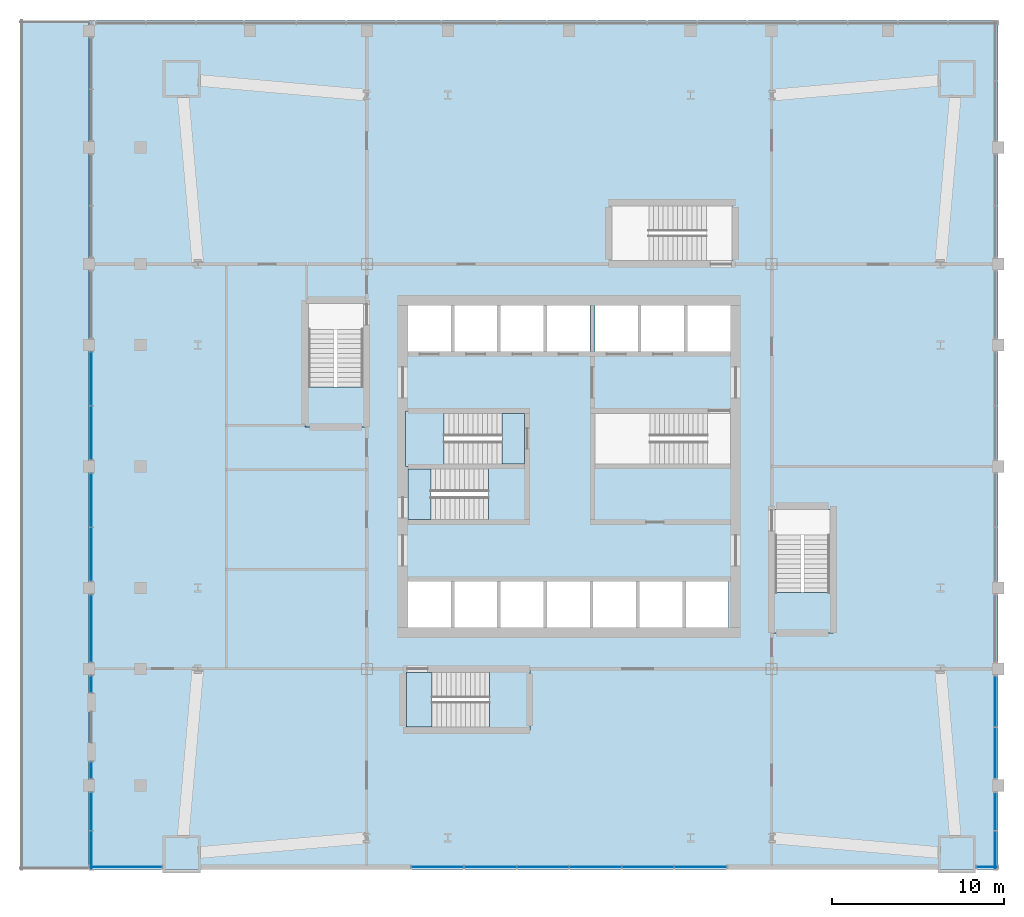
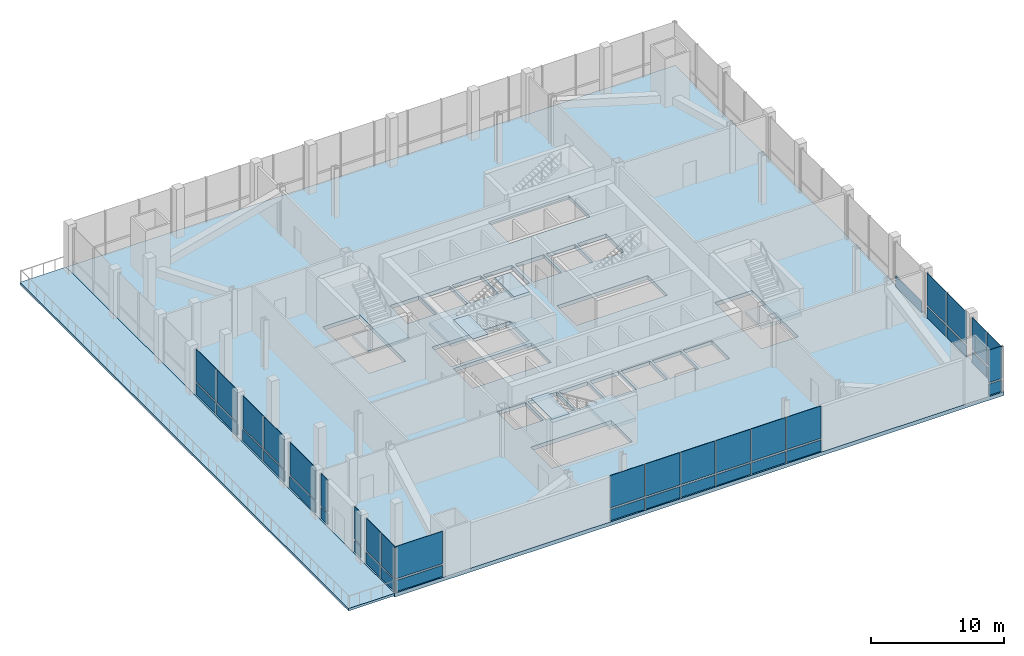
# One storey, part 8 of 15: 43 plates, 10 slabs, 17 elements without a shape of their own.
"""IFC4 building model written with IfcOpenShell, lengths in metres."""

from ifc_helpers import new_model, si_unit, direction, frame, origin, origin_2d, place, context, subcontext, project, spatial, polyline, rectangle, outline, extrude, material, layer, layer_set, type_object, element, aggregate, save


model = new_model("IFC4")

# Units and contexts
model_context = context("Model", 3, precision=1e-05, world=origin(), true_north=direction((0.0, 1.0)))
body_context = subcontext(model_context, "Body", "Model", "MODEL_VIEW")
ifc_project = project(units=[si_unit("LENGTHUNIT", "METRE"), si_unit("AREAUNIT", "SQUARE_METRE"), si_unit("VOLUMEUNIT", "CUBIC_METRE"), si_unit("PLANEANGLEUNIT", "RADIAN"), si_unit("MASSUNIT", "GRAM", prefix="KILO")], contexts=[model_context])

# Site, building, storey
site_placement = place(None, origin())
site = spatial("IfcSite", under=ifc_project, at=site_placement, CompositionType="ELEMENT")
building_placement = place(site_placement, origin())
building = spatial("IfcBuilding", under=site, at=building_placement, Name="Turquesa Mirador Hotel Tower", CompositionType="ELEMENT")
storey_placement = place(building_placement, frame((0.0, 0.0, 16.0)))
storey = spatial("IfcBuildingStorey", under=building, at=storey_placement, Name="L03", CompositionType="ELEMENT", Elevation=16.0)

# Curtain wall, plate
ifc_material_1 = material(Name="Aluminium extrusion", Category="aluminium")
curtain_wall_type = type_object("IfcCurtainWallType", Name="CW-3 PODIUM UPPER CURTAIN WALL", PredefinedType="USERDEFINED", material=ifc_material_1)
curtain_wall_1_placement = place(storey_placement, origin())
curtain_wall_1 = element("IfcCurtainWall", 1, at=curtain_wall_1_placement, inside=storey, type_object=curtain_wall_type, Name="CW-3 PODIUM UPPER CURTAIN WALL L03", ObjectType="CURTAIN WALL", PredefinedType="USERDEFINED")
ifc_material_2 = material(Name="Ceramic-printed spandrel glass on an insulated back pan", Category="glass")
ifc_layer_1 = layer(ifc_material_2, 0.050048828125)
ifc_layer_set_1 = layer_set([ifc_layer_1], Name="CW PANEL SPANDREL CERAMIC")
plate_type_1 = type_object("IfcPlateType", Name="CW PANEL SPANDREL CERAMIC", PredefinedType="CURTAIN_PANEL", material=ifc_layer_set_1)
plate_1_placement = place(storey_placement, frame((29.1328125, 21.64990234375, 0.0), z_axis=(0.0, 0.0, 1.0), x_axis=(1.0, 0.0, 0.0)))
plate_1 = element("IfcPlate", 2, at=plate_1_placement, type_object=plate_type_1, Name="Panel", PredefinedType="CURTAIN_PANEL", context=body_context, shape_type="SweptSolid", body=[
    extrude(rectangle(XDim=4.200439453125, YDim=0.050048828125, at=origin_2d()), origin(), (0.0, 0.0, 1.0), 1.02490234375),
])

# Curtain wall, plates
curtain_wall_2_placement = place(storey_placement, origin())
curtain_wall_2 = element("IfcCurtainWall", 3, at=curtain_wall_2_placement, inside=storey, type_object=curtain_wall_type, Name="CW-3 PODIUM UPPER CURTAIN WALL L03", ObjectType="CURTAIN WALL", PredefinedType="USERDEFINED")
plate_2_placement = place(storey_placement, frame((47.333740234375, 21.64990234375, 0.0), z_axis=(0.0, 0.0, 1.0), x_axis=(1.0, 0.0, 0.0)))
plate_2 = element("IfcPlate", 4, at=plate_2_placement, type_object=plate_type_1, Name="Panel", PredefinedType="CURTAIN_PANEL", context=body_context, shape_type="SweptSolid", body=[
    extrude(rectangle(XDim=3.00146484375, YDim=0.050048828125, at=origin_2d()), origin(), (0.0, 0.0, 1.0), 1.02490234375),
])
plate_3_placement = place(storey_placement, frame((50.400146484375, 21.64990234375, 0.0), z_axis=(0.0, 0.0, 1.0), x_axis=(1.0, 0.0, 0.0)))
plate_3 = element("IfcPlate", 5, at=plate_3_placement, type_object=plate_type_1, Name="Panel", PredefinedType="CURTAIN_PANEL", context=body_context, shape_type="SweptSolid", body=[
    extrude(rectangle(XDim=3.00146484375, YDim=0.050048828125, at=origin_2d()), origin(), (0.0, 0.0, 1.0), 1.02490234375),
])
plate_4_placement = place(storey_placement, frame((53.466796875, 21.64990234375, 0.0), z_axis=(0.0, 0.0, 1.0), x_axis=(1.0, 0.0, 0.0)))
plate_4 = element("IfcPlate", 6, at=plate_4_placement, type_object=plate_type_1, Name="Panel", PredefinedType="CURTAIN_PANEL", context=body_context, shape_type="SweptSolid", body=[
    extrude(rectangle(XDim=3.00146484375, YDim=0.050048828125, at=origin_2d()), origin(), (0.0, 0.0, 1.0), 1.02490234375),
])
plate_5_placement = place(storey_placement, frame((56.533203125, 21.64990234375, 0.0), z_axis=(0.0, 0.0, 1.0), x_axis=(1.0, 0.0, 0.0)))
plate_5 = element("IfcPlate", 7, at=plate_5_placement, type_object=plate_type_1, Name="Panel", PredefinedType="CURTAIN_PANEL", context=body_context, shape_type="SweptSolid", body=[
    extrude(rectangle(XDim=3.00146484375, YDim=0.050048828125, at=origin_2d()), origin(), (0.0, 0.0, 1.0), 1.02490234375),
])
plate_6_placement = place(storey_placement, frame((59.599853515625, 21.64990234375, 0.0), z_axis=(0.0, 0.0, 1.0), x_axis=(1.0, 0.0, 0.0)))
plate_6 = element("IfcPlate", 8, at=plate_6_placement, type_object=plate_type_1, Name="Panel", PredefinedType="CURTAIN_PANEL", context=body_context, shape_type="SweptSolid", body=[
    extrude(rectangle(XDim=3.00146484375, YDim=0.050048828125, at=origin_2d()), origin(), (0.0, 0.0, 1.0), 1.02490234375),
])
plate_7_placement = place(storey_placement, frame((62.666259765625, 21.64990234375, 0.0), z_axis=(0.0, 0.0, 1.0), x_axis=(1.0, 0.0, 0.0)))
plate_7 = element("IfcPlate", 9, at=plate_7_placement, type_object=plate_type_1, Name="Panel", PredefinedType="CURTAIN_PANEL", context=body_context, shape_type="SweptSolid", body=[
    extrude(rectangle(XDim=3.00146484375, YDim=0.050048828125, at=origin_2d()), origin(), (0.0, 0.0, 1.0), 1.02490234375),
])

# Curtain wall, plate
curtain_wall_3_placement = place(storey_placement, origin())
curtain_wall_3 = element("IfcCurtainWall", 10, at=curtain_wall_3_placement, inside=storey, type_object=curtain_wall_type, Name="CW-3 PODIUM UPPER CURTAIN WALL L03", ObjectType="CURTAIN WALL", PredefinedType="USERDEFINED")
plate_8_placement = place(storey_placement, frame((79.3671875, 21.64990234375, 0.0), z_axis=(0.0, 0.0, 1.0), x_axis=(1.0, 0.0, 0.0)))
plate_8 = element("IfcPlate", 11, at=plate_8_placement, type_object=plate_type_1, Name="Panel", PredefinedType="CURTAIN_PANEL", context=body_context, shape_type="SweptSolid", body=[
    extrude(rectangle(XDim=1.200439453125, YDim=0.050048828125, at=origin_2d()), origin(), (0.0, 0.0, 1.0), 1.02490234375),
])

# Curtain wall, plates
curtain_wall_4_placement = place(storey_placement, origin())
curtain_wall_4 = element("IfcCurtainWall", 12, at=curtain_wall_4_placement, inside=storey, type_object=curtain_wall_type, Name="CW-3 PODIUM UPPER CURTAIN WALL L03", ObjectType="CURTAIN WALL", PredefinedType="USERDEFINED")
plate_9_placement = place(storey_placement, frame((79.85009765625, 22.62890625, 0.0), z_axis=(0.0, 0.0, 1.0), x_axis=(0.0, 1.0, 0.0)))
plate_9 = element("IfcPlate", 13, at=plate_9_placement, type_object=plate_type_1, Name="Panel", PredefinedType="CURTAIN_PANEL", context=body_context, shape_type="SweptSolid", body=[
    extrude(rectangle(XDim=2.19287109375, YDim=0.050048828125, at=origin_2d()), origin(), (0.0, 0.0, 1.0), 1.02490234375),
])
plate_10_placement = place(storey_placement, frame((79.85009765625, 24.88671875, 0.0), z_axis=(0.0, 0.0, 1.0), x_axis=(0.0, 1.0, 0.0)))
plate_10 = element("IfcPlate", 14, at=plate_10_placement, type_object=plate_type_1, Name="Panel", PredefinedType="CURTAIN_PANEL", context=body_context, shape_type="SweptSolid", body=[
    extrude(rectangle(XDim=2.19287109375, YDim=0.050048828125, at=origin_2d()), origin(), (0.0, 0.0, 1.0), 1.02490234375),
])

curtain_wall_5_placement = place(storey_placement, origin())
curtain_wall_5 = element("IfcCurtainWall", 15, at=curtain_wall_5_placement, inside=storey, type_object=curtain_wall_type, Name="CW-3 PODIUM UPPER CURTAIN WALL L03", ObjectType="CURTAIN WALL", PredefinedType="USERDEFINED")
plate_11_placement = place(storey_placement, frame((79.85009765625, 28.292236328125, 0.0), z_axis=(0.0, 0.0, 1.0), x_axis=(0.0, 1.0, 0.0)))
plate_11 = element("IfcPlate", 16, at=plate_11_placement, type_object=plate_type_1, Name="Panel", PredefinedType="CURTAIN_PANEL", context=body_context, shape_type="SweptSolid", body=[
    extrude(rectangle(XDim=2.950439453125, YDim=0.050048828125, at=origin_2d()), origin(), (0.0, 0.0, 1.0), 1.02490234375),
])
plate_12_placement = place(storey_placement, frame((79.85009765625, 31.307861328125, 0.0), z_axis=(0.0, 0.0, 1.0), x_axis=(0.0, 1.0, 0.0)))
plate_12 = element("IfcPlate", 17, at=plate_12_placement, type_object=plate_type_1, Name="Panel", PredefinedType="CURTAIN_PANEL", context=body_context, shape_type="SweptSolid", body=[
    extrude(rectangle(XDim=2.950439453125, YDim=0.050048828125, at=origin_2d()), origin(), (0.0, 0.0, 1.0), 1.02490234375),
])

# Curtain wall, plate
curtain_wall_6_placement = place(storey_placement, origin())
curtain_wall_6 = element("IfcCurtainWall", 18, at=curtain_wall_6_placement, inside=storey, type_object=curtain_wall_type, Name="CW-3 PODIUM UPPER CURTAIN WALL L03", ObjectType="CURTAIN WALL", PredefinedType="USERDEFINED")
plate_13_placement = place(storey_placement, frame((79.85009765625, 35.56005859375, 0.0), z_axis=(0.0, 0.0, 1.0), x_axis=(0.0, 1.0, 0.0)))
plate_13 = element("IfcPlate", 19, at=plate_13_placement, type_object=plate_type_1, Name="Panel", PredefinedType="CURTAIN_PANEL", context=body_context, shape_type="SweptSolid", body=[
    extrude(rectangle(XDim=3.885986328125, YDim=0.050048828125, at=origin_2d()), origin(), (0.0, 0.0, 1.0), 1.02490234375),
])
aggregate(curtain_wall_6, [plate_13])

# Curtain wall, plates
curtain_wall_7_placement = place(storey_placement, origin())
curtain_wall_7 = element("IfcCurtainWall", 20, at=curtain_wall_7_placement, inside=storey, type_object=curtain_wall_type, Name="CW-3 PODIUM UPPER CURTAIN WALL L03", ObjectType="CURTAIN WALL", PredefinedType="USERDEFINED")
plate_14_placement = place(storey_placement, frame((27.14990234375, 50.11767578125, 0.0), z_axis=(0.0, 0.0, 1.0), x_axis=(0.0, -1.0, 0.0)))
plate_14 = element("IfcPlate", 21, at=plate_14_placement, type_object=plate_type_1, Name="Panel", PredefinedType="CURTAIN_PANEL", context=body_context, shape_type="SweptSolid", body=[
    extrude(rectangle(XDim=3.090576171875, YDim=0.050048828125, at=origin_2d()), origin(), (0.0, 0.0, 1.0), 1.02490234375),
])
plate_15_placement = place(storey_placement, frame((27.14990234375, 46.962158203125, 0.0), z_axis=(0.0, 0.0, 1.0), x_axis=(0.0, -1.0, 0.0)))
plate_15 = element("IfcPlate", 22, at=plate_15_placement, type_object=plate_type_1, Name="Panel", PredefinedType="CURTAIN_PANEL", context=body_context, shape_type="SweptSolid", body=[
    extrude(rectangle(XDim=3.090576171875, YDim=0.050048828125, at=origin_2d()), origin(), (0.0, 0.0, 1.0), 1.02490234375),
])

curtain_wall_8_placement = place(storey_placement, origin())
curtain_wall_8 = element("IfcCurtainWall", 23, at=curtain_wall_8_placement, inside=storey, type_object=curtain_wall_type, Name="CW-3 PODIUM UPPER CURTAIN WALL L03", ObjectType="CURTAIN WALL", PredefinedType="USERDEFINED")
plate_16_placement = place(storey_placement, frame((27.14990234375, 43.037841796875, 0.0), z_axis=(0.0, 0.0, 1.0), x_axis=(0.0, -1.0, 0.0)))
plate_16 = element("IfcPlate", 24, at=plate_16_placement, type_object=plate_type_1, Name="Panel", PredefinedType="CURTAIN_PANEL", context=body_context, shape_type="SweptSolid", body=[
    extrude(rectangle(XDim=3.090576171875, YDim=0.050048828125, at=origin_2d()), origin(), (0.0, 0.0, 1.0), 1.02490234375),
])
plate_17_placement = place(storey_placement, frame((27.14990234375, 39.88232421875, 0.0), z_axis=(0.0, 0.0, 1.0), x_axis=(0.0, -1.0, 0.0)))
plate_17 = element("IfcPlate", 25, at=plate_17_placement, type_object=plate_type_1, Name="Panel", PredefinedType="CURTAIN_PANEL", context=body_context, shape_type="SweptSolid", body=[
    extrude(rectangle(XDim=3.090576171875, YDim=0.050048828125, at=origin_2d()), origin(), (0.0, 0.0, 1.0), 1.02490234375),
])

# Curtain wall, plate
curtain_wall_9_placement = place(storey_placement, origin())
curtain_wall_9 = element("IfcCurtainWall", 26, at=curtain_wall_9_placement, inside=storey, type_object=curtain_wall_type, Name="CW-3 PODIUM UPPER CURTAIN WALL L03", ObjectType="CURTAIN WALL", PredefinedType="USERDEFINED")
plate_18_placement = place(storey_placement, frame((27.14990234375, 35.56005859375, 0.0), z_axis=(0.0, 0.0, 1.0), x_axis=(0.0, -1.0, 0.0)))
plate_18 = element("IfcPlate", 27, at=plate_18_placement, type_object=plate_type_1, Name="Panel", PredefinedType="CURTAIN_PANEL", context=body_context, shape_type="SweptSolid", body=[
    extrude(rectangle(XDim=3.885986328125, YDim=0.050048828125, at=origin_2d()), origin(), (0.0, 0.0, 1.0), 1.02490234375),
])

curtain_wall_10_placement = place(storey_placement, origin())
curtain_wall_10 = element("IfcCurtainWall", 28, at=curtain_wall_10_placement, inside=storey, type_object=curtain_wall_type, Name="CW-3 PODIUM UPPER CURTAIN WALL L03", ObjectType="CURTAIN WALL", PredefinedType="USERDEFINED")
plate_19_placement = place(storey_placement, frame((27.14990234375, 32.307861328125, 0.0), z_axis=(0.0, 0.0, 1.0), x_axis=(0.0, -1.0, 0.0)))
plate_19 = element("IfcPlate", 29, at=plate_19_placement, type_object=plate_type_1, Name="Panel", PredefinedType="CURTAIN_PANEL", context=body_context, shape_type="SweptSolid", body=[
    extrude(rectangle(XDim=0.950439453125, YDim=0.050048828125, at=origin_2d()), origin(), (0.0, 0.0, 1.0), 1.02490234375),
])

curtain_wall_11_placement = place(storey_placement, origin())
curtain_wall_11 = element("IfcCurtainWall", 30, at=curtain_wall_11_placement, inside=storey, type_object=curtain_wall_type, Name="CW-3 PODIUM UPPER CURTAIN WALL L03", ObjectType="CURTAIN WALL", PredefinedType="USERDEFINED")
plate_20_placement = place(storey_placement, frame((27.14990234375, 27.292236328125, 0.0), z_axis=(0.0, 0.0, 1.0), x_axis=(0.0, -1.0, 0.0)))
plate_20 = element("IfcPlate", 31, at=plate_20_placement, type_object=plate_type_1, Name="Panel", PredefinedType="CURTAIN_PANEL", context=body_context, shape_type="SweptSolid", body=[
    extrude(rectangle(XDim=0.950439453125, YDim=0.050048828125, at=origin_2d()), origin(), (0.0, 0.0, 1.0), 1.02490234375),
])

# Curtain wall, plates
curtain_wall_12_placement = place(storey_placement, origin())
curtain_wall_12 = element("IfcCurtainWall", 32, at=curtain_wall_12_placement, inside=storey, type_object=curtain_wall_type, Name="CW-3 PODIUM UPPER CURTAIN WALL L03", ObjectType="CURTAIN WALL", PredefinedType="USERDEFINED")
plate_21_placement = place(storey_placement, frame((27.14990234375, 24.88671875, 0.0), z_axis=(0.0, 0.0, 1.0), x_axis=(0.0, -1.0, 0.0)))
plate_21 = element("IfcPlate", 33, at=plate_21_placement, type_object=plate_type_1, Name="Panel", PredefinedType="CURTAIN_PANEL", context=body_context, shape_type="SweptSolid", body=[
    extrude(rectangle(XDim=2.19287109375, YDim=0.050048828125, at=origin_2d()), origin(), (0.0, 0.0, 1.0), 1.02490234375),
])
plate_22_placement = place(storey_placement, frame((27.14990234375, 22.62890625, 0.0), z_axis=(0.0, 0.0, 1.0), x_axis=(0.0, -1.0, 0.0)))
plate_22 = element("IfcPlate", 34, at=plate_22_placement, type_object=plate_type_1, Name="Panel", PredefinedType="CURTAIN_PANEL", context=body_context, shape_type="SweptSolid", body=[
    extrude(rectangle(XDim=2.19287109375, YDim=0.050048828125, at=origin_2d()), origin(), (0.0, 0.0, 1.0), 1.02490234375),
])

# Plate
ifc_material_3 = material(Name="Ceramic-fritted laminated glass", Category="glass")
ifc_layer_2 = layer(ifc_material_3, 0.031982421875)
ifc_layer_set_2 = layer_set([ifc_layer_2], Name="CW PANEL VISION FRITTED")
plate_type_2 = type_object("IfcPlateType", Name="CW PANEL VISION FRITTED", PredefinedType="CURTAIN_PANEL", material=ifc_layer_set_2)
plate_23_placement = place(storey_placement, frame((29.1328125, 21.64990234375, 1.175048828125), z_axis=(0.0, 0.0, 1.0), x_axis=(1.0, 0.0, 0.0)))
plate_23 = element("IfcPlate", 35, at=plate_23_placement, type_object=plate_type_2, Name="Panel", PredefinedType="CURTAIN_PANEL", context=body_context, shape_type="SweptSolid", body=[
    extrude(rectangle(XDim=4.200439453125, YDim=0.031982421875, at=origin_2d()), origin(), (0.0, 0.0, 1.0), 2.97509765625),
])

aggregate(curtain_wall_1, [plate_1, plate_23])

plate_24_placement = place(storey_placement, frame((47.333740234375, 21.64990234375, 1.175048828125), z_axis=(0.0, 0.0, 1.0), x_axis=(1.0, 0.0, 0.0)))
plate_24 = element("IfcPlate", 36, at=plate_24_placement, type_object=plate_type_2, Name="Panel", PredefinedType="CURTAIN_PANEL", context=body_context, shape_type="SweptSolid", body=[
    extrude(rectangle(XDim=3.00146484375, YDim=0.031982421875, at=origin_2d()), origin(), (0.0, 0.0, 1.0), 2.97509765625),
])

plate_25_placement = place(storey_placement, frame((50.400146484375, 21.64990234375, 1.175048828125), z_axis=(0.0, 0.0, 1.0), x_axis=(1.0, 0.0, 0.0)))
plate_25 = element("IfcPlate", 37, at=plate_25_placement, type_object=plate_type_2, Name="Panel", PredefinedType="CURTAIN_PANEL", context=body_context, shape_type="SweptSolid", body=[
    extrude(rectangle(XDim=3.00146484375, YDim=0.031982421875, at=origin_2d()), origin(), (0.0, 0.0, 1.0), 2.97509765625),
])

plate_26_placement = place(storey_placement, frame((53.466796875, 21.64990234375, 1.175048828125), z_axis=(0.0, 0.0, 1.0), x_axis=(1.0, 0.0, 0.0)))
plate_26 = element("IfcPlate", 38, at=plate_26_placement, type_object=plate_type_2, Name="Panel", PredefinedType="CURTAIN_PANEL", context=body_context, shape_type="SweptSolid", body=[
    extrude(rectangle(XDim=3.00146484375, YDim=0.031982421875, at=origin_2d()), origin(), (0.0, 0.0, 1.0), 2.97509765625),
])

plate_27_placement = place(storey_placement, frame((56.533203125, 21.64990234375, 1.175048828125), z_axis=(0.0, 0.0, 1.0), x_axis=(1.0, 0.0, 0.0)))
plate_27 = element("IfcPlate", 39, at=plate_27_placement, type_object=plate_type_2, Name="Panel", PredefinedType="CURTAIN_PANEL", context=body_context, shape_type="SweptSolid", body=[
    extrude(rectangle(XDim=3.00146484375, YDim=0.031982421875, at=origin_2d()), origin(), (0.0, 0.0, 1.0), 2.97509765625),
])

plate_28_placement = place(storey_placement, frame((59.599853515625, 21.64990234375, 1.175048828125), z_axis=(0.0, 0.0, 1.0), x_axis=(1.0, 0.0, 0.0)))
plate_28 = element("IfcPlate", 40, at=plate_28_placement, type_object=plate_type_2, Name="Panel", PredefinedType="CURTAIN_PANEL", context=body_context, shape_type="SweptSolid", body=[
    extrude(rectangle(XDim=3.00146484375, YDim=0.031982421875, at=origin_2d()), origin(), (0.0, 0.0, 1.0), 2.97509765625),
])

plate_29_placement = place(storey_placement, frame((62.666259765625, 21.64990234375, 1.175048828125), z_axis=(0.0, 0.0, 1.0), x_axis=(1.0, 0.0, 0.0)))
plate_29 = element("IfcPlate", 41, at=plate_29_placement, type_object=plate_type_2, Name="Panel", PredefinedType="CURTAIN_PANEL", context=body_context, shape_type="SweptSolid", body=[
    extrude(rectangle(XDim=3.00146484375, YDim=0.031982421875, at=origin_2d()), origin(), (0.0, 0.0, 1.0), 2.97509765625),
])

aggregate(curtain_wall_2, [plate_2, plate_24, plate_3, plate_25, plate_4, plate_26, plate_5, plate_27, plate_6, plate_28, plate_7, plate_29])

plate_30_placement = place(storey_placement, frame((79.3671875, 21.64990234375, 1.175048828125), z_axis=(0.0, 0.0, 1.0), x_axis=(1.0, 0.0, 0.0)))
plate_30 = element("IfcPlate", 42, at=plate_30_placement, type_object=plate_type_2, Name="Panel", PredefinedType="CURTAIN_PANEL", context=body_context, shape_type="SweptSolid", body=[
    extrude(rectangle(XDim=1.200439453125, YDim=0.031982421875, at=origin_2d()), origin(), (0.0, 0.0, 1.0), 2.97509765625),
])

aggregate(curtain_wall_3, [plate_8, plate_30])

plate_31_placement = place(storey_placement, frame((79.85009765625, 22.62890625, 1.175048828125), z_axis=(0.0, 0.0, 1.0), x_axis=(0.0, 1.0, 0.0)))
plate_31 = element("IfcPlate", 43, at=plate_31_placement, type_object=plate_type_2, Name="Panel", PredefinedType="CURTAIN_PANEL", context=body_context, shape_type="SweptSolid", body=[
    extrude(rectangle(XDim=2.19287109375, YDim=0.031982421875, at=origin_2d()), origin(), (0.0, 0.0, 1.0), 2.97509765625),
])

plate_32_placement = place(storey_placement, frame((79.85009765625, 24.88671875, 1.175048828125), z_axis=(0.0, 0.0, 1.0), x_axis=(0.0, 1.0, 0.0)))
plate_32 = element("IfcPlate", 44, at=plate_32_placement, type_object=plate_type_2, Name="Panel", PredefinedType="CURTAIN_PANEL", context=body_context, shape_type="SweptSolid", body=[
    extrude(rectangle(XDim=2.19287109375, YDim=0.031982421875, at=origin_2d()), origin(), (0.0, 0.0, 1.0), 2.97509765625),
])

aggregate(curtain_wall_4, [plate_9, plate_31, plate_10, plate_32])

plate_33_placement = place(storey_placement, frame((79.85009765625, 28.292236328125, 1.175048828125), z_axis=(0.0, 0.0, 1.0), x_axis=(0.0, 1.0, 0.0)))
plate_33 = element("IfcPlate", 45, at=plate_33_placement, type_object=plate_type_2, Name="Panel", PredefinedType="CURTAIN_PANEL", context=body_context, shape_type="SweptSolid", body=[
    extrude(rectangle(XDim=2.950439453125, YDim=0.031982421875, at=origin_2d()), origin(), (0.0, 0.0, 1.0), 2.97509765625),
])

plate_34_placement = place(storey_placement, frame((79.85009765625, 31.307861328125, 1.175048828125), z_axis=(0.0, 0.0, 1.0), x_axis=(0.0, 1.0, 0.0)))
plate_34 = element("IfcPlate", 46, at=plate_34_placement, type_object=plate_type_2, Name="Panel", PredefinedType="CURTAIN_PANEL", context=body_context, shape_type="SweptSolid", body=[
    extrude(rectangle(XDim=2.950439453125, YDim=0.031982421875, at=origin_2d()), origin(), (0.0, 0.0, 1.0), 2.97509765625),
])

aggregate(curtain_wall_5, [plate_11, plate_33, plate_12, plate_34])

plate_35_placement = place(storey_placement, frame((27.14990234375, 50.11767578125, 1.175048828125), z_axis=(0.0, 0.0, 1.0), x_axis=(0.0, -1.0, 0.0)))
plate_35 = element("IfcPlate", 47, at=plate_35_placement, type_object=plate_type_2, Name="Panel", PredefinedType="CURTAIN_PANEL", context=body_context, shape_type="SweptSolid", body=[
    extrude(rectangle(XDim=3.090576171875, YDim=0.031982421875, at=origin_2d()), origin(), (0.0, 0.0, 1.0), 2.97509765625),
])

plate_36_placement = place(storey_placement, frame((27.14990234375, 46.962158203125, 1.175048828125), z_axis=(0.0, 0.0, 1.0), x_axis=(0.0, -1.0, 0.0)))
plate_36 = element("IfcPlate", 48, at=plate_36_placement, type_object=plate_type_2, Name="Panel", PredefinedType="CURTAIN_PANEL", context=body_context, shape_type="SweptSolid", body=[
    extrude(rectangle(XDim=3.090576171875, YDim=0.031982421875, at=origin_2d()), origin(), (0.0, 0.0, 1.0), 2.97509765625),
])

aggregate(curtain_wall_7, [plate_14, plate_35, plate_15, plate_36])

plate_37_placement = place(storey_placement, frame((27.14990234375, 43.037841796875, 1.175048828125), z_axis=(0.0, 0.0, 1.0), x_axis=(0.0, -1.0, 0.0)))
plate_37 = element("IfcPlate", 49, at=plate_37_placement, type_object=plate_type_2, Name="Panel", PredefinedType="CURTAIN_PANEL", context=body_context, shape_type="SweptSolid", body=[
    extrude(rectangle(XDim=3.090576171875, YDim=0.031982421875, at=origin_2d()), origin(), (0.0, 0.0, 1.0), 2.97509765625),
])

plate_38_placement = place(storey_placement, frame((27.14990234375, 39.88232421875, 1.175048828125), z_axis=(0.0, 0.0, 1.0), x_axis=(0.0, -1.0, 0.0)))
plate_38 = element("IfcPlate", 50, at=plate_38_placement, type_object=plate_type_2, Name="Panel", PredefinedType="CURTAIN_PANEL", context=body_context, shape_type="SweptSolid", body=[
    extrude(rectangle(XDim=3.090576171875, YDim=0.031982421875, at=origin_2d()), origin(), (0.0, 0.0, 1.0), 2.97509765625),
])

aggregate(curtain_wall_8, [plate_16, plate_37, plate_17, plate_38])

plate_39_placement = place(storey_placement, frame((27.14990234375, 35.56005859375, 1.175048828125), z_axis=(0.0, 0.0, 1.0), x_axis=(0.0, -1.0, 0.0)))
plate_39 = element("IfcPlate", 51, at=plate_39_placement, type_object=plate_type_2, Name="Panel", PredefinedType="CURTAIN_PANEL", context=body_context, shape_type="SweptSolid", body=[
    extrude(rectangle(XDim=3.885986328125, YDim=0.031982421875, at=origin_2d()), origin(), (0.0, 0.0, 1.0), 2.97509765625),
])

aggregate(curtain_wall_9, [plate_18, plate_39])

plate_40_placement = place(storey_placement, frame((27.14990234375, 32.307861328125, 1.175048828125), z_axis=(0.0, 0.0, 1.0), x_axis=(0.0, -1.0, 0.0)))
plate_40 = element("IfcPlate", 52, at=plate_40_placement, type_object=plate_type_2, Name="Panel", PredefinedType="CURTAIN_PANEL", context=body_context, shape_type="SweptSolid", body=[
    extrude(rectangle(XDim=0.950439453125, YDim=0.031982421875, at=origin_2d()), origin(), (0.0, 0.0, 1.0), 2.97509765625),
])

aggregate(curtain_wall_10, [plate_19, plate_40])

plate_41_placement = place(storey_placement, frame((27.14990234375, 27.292236328125, 1.175048828125), z_axis=(0.0, 0.0, 1.0), x_axis=(0.0, -1.0, 0.0)))
plate_41 = element("IfcPlate", 53, at=plate_41_placement, type_object=plate_type_2, Name="Panel", PredefinedType="CURTAIN_PANEL", context=body_context, shape_type="SweptSolid", body=[
    extrude(rectangle(XDim=0.950439453125, YDim=0.031982421875, at=origin_2d()), origin(), (0.0, 0.0, 1.0), 2.97509765625),
])

aggregate(curtain_wall_11, [plate_20, plate_41])

plate_42_placement = place(storey_placement, frame((27.14990234375, 24.88671875, 1.175048828125), z_axis=(0.0, 0.0, 1.0), x_axis=(0.0, -1.0, 0.0)))
plate_42 = element("IfcPlate", 54, at=plate_42_placement, type_object=plate_type_2, Name="Panel", PredefinedType="CURTAIN_PANEL", context=body_context, shape_type="SweptSolid", body=[
    extrude(rectangle(XDim=2.19287109375, YDim=0.031982421875, at=origin_2d()), origin(), (0.0, 0.0, 1.0), 2.97509765625),
])

plate_43_placement = place(storey_placement, frame((27.14990234375, 22.62890625, 1.175048828125), z_axis=(0.0, 0.0, 1.0), x_axis=(0.0, -1.0, 0.0)))
plate_43 = element("IfcPlate", 55, at=plate_43_placement, type_object=plate_type_2, Name="Panel", PredefinedType="CURTAIN_PANEL", context=body_context, shape_type="SweptSolid", body=[
    extrude(rectangle(XDim=2.19287109375, YDim=0.031982421875, at=origin_2d()), origin(), (0.0, 0.0, 1.0), 2.97509765625),
])

aggregate(curtain_wall_12, [plate_21, plate_42, plate_22, plate_43])

# Slab
ifc_material_4 = material(Name="Concrete C40/50", Category="concrete")
ifc_layer_3 = layer(ifc_material_4, 0.35009765625)
ifc_layer_set_3 = layer_set([ifc_layer_3], Name="FLAT SLAB 350")
slab_type_1 = type_object("IfcSlabType", Name="FLAT SLAB 350", PredefinedType="FLOOR", material=ifc_layer_set_3)
slab_1_placement = place(storey_placement, frame((0.0, 0.0, -0.35009765625)))
element("IfcSlab", 56, at=slab_1_placement, inside=storey, type_object=slab_type_1, Name="Floor slab L03", PredefinedType="FLOOR", context=body_context, shape_type="SweptSolid", body=[
    extrude(outline(polyline([(27.0, 21.5), (80.0, 21.5), (80.0, 71.0), (27.0, 71.0), (27.0, 21.5)]), holes=[polyline([(45.60009765625, 51.699951171875), (48.10009765625, 51.699951171875), (48.10009765625, 54.39990234375), (45.60009765625, 54.39990234375), (45.60009765625, 51.699951171875)]), polyline([(48.300048828125, 51.699951171875), (50.800048828125, 51.699951171875), (50.800048828125, 54.39990234375), (48.300048828125, 54.39990234375), (48.300048828125, 51.699951171875)]), polyline([(51.0, 51.699951171875), (53.5, 51.699951171875), (53.5, 54.39990234375), (51.0, 54.39990234375), (51.0, 51.699951171875)]), polyline([(53.699951171875, 51.699951171875), (56.199951171875, 51.699951171875), (56.199951171875, 54.39990234375), (53.699951171875, 54.39990234375), (53.699951171875, 51.699951171875)]), polyline([(56.5, 51.699951171875), (59.0, 51.699951171875), (59.0, 54.39990234375), (56.5, 54.39990234375), (56.5, 51.699951171875)]), polyline([(59.199951171875, 51.699951171875), (61.699951171875, 51.699951171875), (61.699951171875, 54.39990234375), (59.199951171875, 54.39990234375), (59.199951171875, 51.699951171875)]), polyline([(45.60009765625, 35.60009765625), (48.10009765625, 35.60009765625), (48.10009765625, 38.300048828125), (45.60009765625, 38.300048828125), (45.60009765625, 35.60009765625)]), polyline([(48.300048828125, 35.60009765625), (50.800048828125, 35.60009765625), (50.800048828125, 38.300048828125), (48.300048828125, 38.300048828125), (48.300048828125, 35.60009765625)]), polyline([(51.0, 35.60009765625), (53.5, 35.60009765625), (53.5, 38.300048828125), (51.0, 38.300048828125), (51.0, 35.60009765625)]), polyline([(53.699951171875, 35.60009765625), (56.199951171875, 35.60009765625), (56.199951171875, 38.300048828125), (53.699951171875, 38.300048828125), (53.699951171875, 35.60009765625)]), polyline([(56.39990234375, 35.60009765625), (58.89990234375, 35.60009765625), (58.89990234375, 38.300048828125), (56.39990234375, 38.300048828125), (56.39990234375, 35.60009765625)]), polyline([(59.10009765625, 35.60009765625), (61.60009765625, 35.60009765625), (61.60009765625, 38.300048828125), (59.10009765625, 38.300048828125), (59.10009765625, 35.60009765625)]), polyline([(61.800048828125, 35.60009765625), (64.300048828125, 35.60009765625), (64.300048828125, 38.300048828125), (61.800048828125, 38.300048828125), (61.800048828125, 35.60009765625)]), polyline([(45.60009765625, 45.14990234375), (52.39990234375, 45.14990234375), (52.39990234375, 48.10009765625), (45.60009765625, 48.10009765625), (45.60009765625, 45.14990234375)]), polyline([(45.60009765625, 41.89990234375), (52.39990234375, 41.89990234375), (52.39990234375, 44.85009765625), (45.60009765625, 44.85009765625), (45.60009765625, 41.89990234375)]), polyline([(56.5, 45.14990234375), (64.39990234375, 45.14990234375), (64.39990234375, 48.10009765625), (56.5, 48.10009765625), (56.5, 45.14990234375)]), polyline([(61.89990234375, 51.699951171875), (64.39990234375, 51.699951171875), (64.39990234375, 54.39990234375), (61.89990234375, 54.39990234375), (61.89990234375, 51.699951171875)]), polyline([(57.5, 57.0), (64.5, 57.0), (64.5, 60.199951171875), (57.5, 60.199951171875), (57.5, 57.0)]), polyline([(45.5, 29.800048828125), (52.5, 29.800048828125), (52.5, 33.0), (45.5, 33.0), (45.5, 29.800048828125)]), polyline([(67.0, 35.5), (70.199951171875, 35.5), (70.199951171875, 42.5), (67.0, 42.5), (67.0, 35.5)]), polyline([(39.800048828125, 47.5), (43.0, 47.5), (43.0, 54.5), (39.800048828125, 54.5), (39.800048828125, 47.5)])]), origin(), (0.0, 0.0, 1.0), 0.35009765625),
])

# Stair, slabs
ifc_material_5 = material(Name="Concrete C35/45", Category="concrete")
stair_type_1 = type_object("IfcStairType", Name="ESCAPE STAIR CORE", PredefinedType="HALF_TURN_STAIR", material=ifc_material_5)
stair_1_placement = place(storey_placement, origin())
stair_1 = element("IfcStair", 57, at=stair_1_placement, inside=storey, type_object=stair_type_1, Name="Stair ST1 L03 to L04", PredefinedType="HALF_TURN_STAIR")
ifc_material_6 = material(Name="Concrete C35/45", Category="concrete")
ifc_layer_4 = layer(ifc_material_6, 0.300048828125)
ifc_layer_set_4 = layer_set([ifc_layer_4], Name="STAIR LANDING 300")
slab_type_2 = type_object("IfcSlabType", Name="STAIR LANDING 300", PredefinedType="LANDING", material=ifc_layer_set_4)
slab_2_placement = place(storey_placement, frame((0.0, 0.0, 1.949951171875)))
slab_2 = element("IfcSlab", 58, at=slab_2_placement, type_object=slab_type_2, Name="ST1 landing 1", PredefinedType="LANDING", context=body_context, shape_type="SweptSolid", body=[
    extrude(outline(polyline([(45.449951171875, 45.0), (47.7099609375, 45.0), (47.7099609375, 48.25), (45.449951171875, 48.25), (45.449951171875, 45.0)])), origin(), (0.0, 0.0, 1.0), 0.300048828125),
])
slab_3_placement = place(storey_placement, frame((0.0, 0.0, 4.199951171875)))
slab_3 = element("IfcSlab", 59, at=slab_3_placement, type_object=slab_type_2, Name="ST1 landing 2", PredefinedType="LANDING", context=body_context, shape_type="SweptSolid", body=[
    extrude(outline(polyline([(51.070068359375, 45.14990234375), (52.39990234375, 45.14990234375), (52.39990234375, 48.10009765625), (51.070068359375, 48.10009765625), (51.070068359375, 45.14990234375)])), origin(), (0.0, 0.0, 1.0), 0.300048828125),
])
aggregate(stair_1, [slab_2, slab_3])

stair_2_placement = place(storey_placement, origin())
stair_2 = element("IfcStair", 60, at=stair_2_placement, inside=storey, type_object=stair_type_1, Name="Stair ST2 L03 to L04", PredefinedType="HALF_TURN_STAIR")
slab_4_placement = place(storey_placement, frame((0.0, 0.0, 1.949951171875)))
slab_4 = element("IfcSlab", 61, at=slab_4_placement, type_object=slab_type_2, Name="ST2 landing 1", PredefinedType="LANDING", context=body_context, shape_type="SweptSolid", body=[
    extrude(outline(polyline([(52.550048828125, 45.0), (50.2900390625, 45.0), (50.2900390625, 41.75), (52.550048828125, 41.75), (52.550048828125, 45.0)])), origin(), (0.0, 0.0, 1.0), 0.300048828125),
])
slab_5_placement = place(storey_placement, frame((0.0, 0.0, 4.199951171875)))
slab_5 = element("IfcSlab", 62, at=slab_5_placement, type_object=slab_type_2, Name="ST2 landing 2", PredefinedType="LANDING", context=body_context, shape_type="SweptSolid", body=[
    extrude(outline(polyline([(46.929931640625, 44.85009765625), (45.60009765625, 44.85009765625), (45.60009765625, 41.89990234375), (46.929931640625, 41.89990234375), (46.929931640625, 44.85009765625)])), origin(), (0.0, 0.0, 1.0), 0.300048828125),
])
aggregate(stair_2, [slab_4, slab_5])

ifc_material_7 = material(Name="Concrete C35/45", Category="concrete")
stair_type_2 = type_object("IfcStairType", Name="ESCAPE STAIR PODIUM", PredefinedType="HALF_TURN_STAIR", material=ifc_material_7)
stair_3_placement = place(storey_placement, origin())
stair_3 = element("IfcStair", 63, at=stair_3_placement, inside=storey, type_object=stair_type_2, Name="Stair PS2 L03 to L04", PredefinedType="HALF_TURN_STAIR")
slab_6_placement = place(storey_placement, frame((0.0, 0.0, 1.949951171875)))
slab_6 = element("IfcSlab", 64, at=slab_6_placement, type_object=slab_type_2, Name="PS2 landing 1", PredefinedType="LANDING", context=body_context, shape_type="SweptSolid", body=[
    extrude(outline(polyline([(52.699951171875, 33.199951171875), (50.360107421875, 33.199951171875), (50.360107421875, 29.60009765625), (52.699951171875, 29.60009765625), (52.699951171875, 33.199951171875)])), origin(), (0.0, 0.0, 1.0), 0.300048828125),
])
slab_7_placement = place(storey_placement, frame((0.0, 0.0, 4.199951171875)))
slab_7 = element("IfcSlab", 65, at=slab_7_placement, type_object=slab_type_2, Name="PS2 landing 2", PredefinedType="LANDING", context=body_context, shape_type="SweptSolid", body=[
    extrude(outline(polyline([(47.0, 33.0), (45.5, 33.0), (45.5, 29.800048828125), (47.0, 29.800048828125), (47.0, 33.0)])), origin(), (0.0, 0.0, 1.0), 0.300048828125),
])
aggregate(stair_3, [slab_6, slab_7])

# Stair, slab
stair_4_placement = place(storey_placement, origin())
stair_4 = element("IfcStair", 66, at=stair_4_placement, inside=storey, type_object=stair_type_2, Name="Stair PS3 L03 to L04", PredefinedType="HALF_TURN_STAIR")
slab_8_placement = place(storey_placement, frame((0.0, 0.0, 1.949951171875)))
slab_8 = element("IfcSlab", 67, at=slab_8_placement, type_object=slab_type_2, Name="PS3 landing 1", PredefinedType="LANDING", context=body_context, shape_type="SweptSolid", body=[
    extrude(outline(polyline([(66.800048828125, 35.300048828125), (70.39990234375, 35.300048828125), (70.39990234375, 37.639892578125), (66.800048828125, 37.639892578125), (66.800048828125, 35.300048828125)])), origin(), (0.0, 0.0, 1.0), 0.300048828125),
])
aggregate(stair_4, [slab_8])

stair_5_placement = place(storey_placement, origin())
stair_5 = element("IfcStair", 68, at=stair_5_placement, inside=storey, type_object=stair_type_2, Name="Stair PS4 L03 to L04", PredefinedType="HALF_TURN_STAIR")
slab_9_placement = place(storey_placement, frame((0.0, 0.0, 1.949951171875)))
slab_9 = element("IfcSlab", 69, at=slab_9_placement, type_object=slab_type_2, Name="PS4 landing 1", PredefinedType="LANDING", context=body_context, shape_type="SweptSolid", body=[
    extrude(outline(polyline([(39.60009765625, 47.300048828125), (43.199951171875, 47.300048828125), (43.199951171875, 49.639892578125), (39.60009765625, 49.639892578125), (39.60009765625, 47.300048828125)])), origin(), (0.0, 0.0, 1.0), 0.300048828125),
])
aggregate(stair_5, [slab_9])

# Slab
ifc_material_8 = material(Name="Concrete C35/45 with stone paving", Category="masonry")
ifc_layer_5 = layer(ifc_material_8, 0.219970703125)
ifc_layer_set_5 = layer_set([ifc_layer_5], Name="TERRACE SLAB 220")
slab_type_3 = type_object("IfcSlabType", Name="TERRACE SLAB 220", PredefinedType="ROOF", material=ifc_layer_set_5)
slab_10_placement = place(storey_placement, frame((0.0, 0.0, -0.219970703125)))
element("IfcSlab", 70, at=slab_10_placement, inside=storey, type_object=slab_type_3, Name="Spa garden terrace", PredefinedType="ROOF", context=body_context, shape_type="SweptSolid", body=[
    extrude(outline(polyline([(23.0, 21.5), (23.0, 71.0), (27.0, 71.0), (27.0, 21.5), (23.0, 21.5)])), origin(), (0.0, 0.0, 1.0), 0.219970703125),
])

save(model, "model.ifc")
